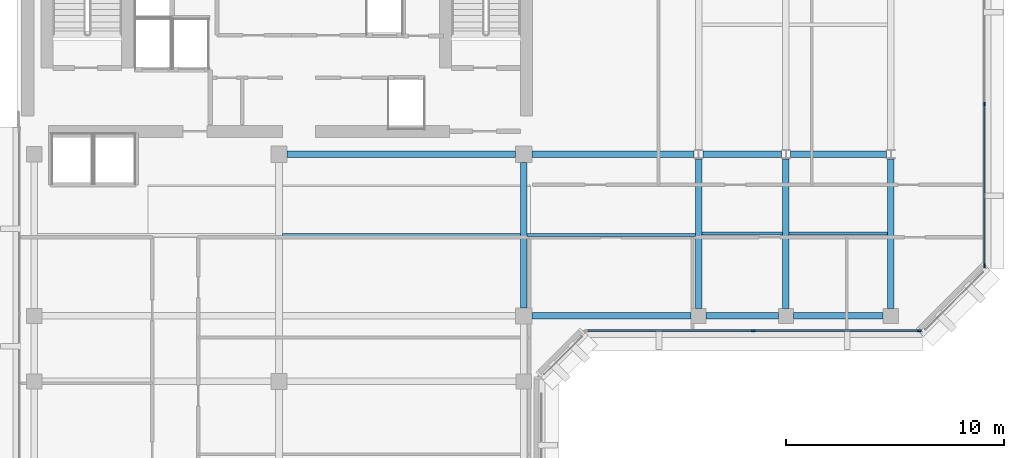
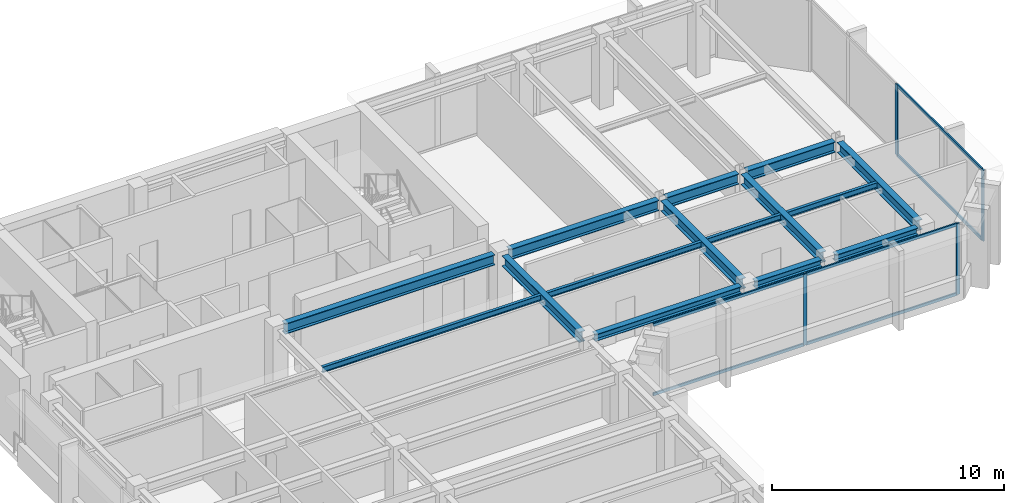
# One storey, part 3 of 11: 15 beams, 10 members, 2 elements without a shape of their own.
"""IFC4 building model written with IfcOpenShell, lengths in metres."""

from ifc_helpers import new_model, si_unit, direction, frame, origin, origin_2d, place, context, subcontext, project, spatial, rectangle, i_section, extrude, material, layer, layer_set, material_profile, profile_set, type_object, element, aggregate, save


model = new_model("IFC4")

# Units and contexts
model_context = context("Model", 3, precision=1e-05, world=origin(), true_north=direction((0.0, 1.0)))
body_context = subcontext(model_context, "Body", "Model", "MODEL_VIEW")
ifc_project = project(units=[si_unit("LENGTHUNIT", "METRE"), si_unit("AREAUNIT", "SQUARE_METRE"), si_unit("VOLUMEUNIT", "CUBIC_METRE"), si_unit("PLANEANGLEUNIT", "RADIAN"), si_unit("MASSUNIT", "GRAM", prefix="KILO")], contexts=[model_context])

# Site, building, storey
site_placement = place(None, origin())
site = spatial("IfcSite", under=ifc_project, at=site_placement, CompositionType="ELEMENT")
building_placement = place(site_placement, origin())
building = spatial("IfcBuilding", under=site, at=building_placement, Name="Kefirva Bronze Tower", CompositionType="ELEMENT")
storey_placement = place(building_placement, frame((0.0, 0.0, 292.050048828125)))
storey = spatial("IfcBuildingStorey", under=building, at=storey_placement, Name="L71", CompositionType="ELEMENT", Elevation=292.050048828125)

# Curtain wall, members
ifc_material_1 = material(Name="Bronze anodised aluminium", Category="aluminium")
ifc_layer = layer(ifc_material_1, 0.179931640625, Name="Bronze anodised aluminium")
ifc_layer_set = layer_set([ifc_layer], Name="Bronze anodised aluminium")
curtain_wall_type = type_object("IfcCurtainWallType", Name="Unitised Bronze Ribbon Curtain Wall Zone 4", PredefinedType="USERDEFINED", material=ifc_layer_set)
curtain_wall_1_placement = place(storey_placement, origin())
curtain_wall_1 = element("IfcCurtainWall", 1, at=curtain_wall_1_placement, inside=storey, type_object=curtain_wall_type, Name="L71 Curtain Wall 2", ObjectType="UNITISED CURTAIN WALL", PredefinedType="USERDEFINED")
ifc_material_profile_1 = material_profile(ifc_material_1, rectangle(XDim=0.074951171875, YDim=0.179931640625, at=origin_2d()), Name="ALU 75x180")
ifc_profile_set_1 = profile_set([ifc_material_profile_1], Name="Bronze anodised aluminium")
member_type_1 = type_object("IfcMemberType", Name="Bronze Mullion 75x180", PredefinedType="MULLION", material=ifc_profile_set_1)
member_1_placement = place(storey_placement, frame((33.699951171875, 25.1201171875, 0.0), z_axis=(0.0, 0.0, 1.0), x_axis=(0.0, 1.0, 0.0)))
member_1 = element("IfcMember", 2, at=member_1_placement, type_object=member_type_1, Name="CW-04 mullion 2", PredefinedType="MULLION", context=body_context, shape_type="SweptSolid", body=[
    extrude(rectangle(XDim=0.074951171875, YDim=0.179931640625, at=origin_2d()), origin(), (0.0, 0.0, 1.0), 3.739990234375),
])
member_2_placement = place(storey_placement, frame((41.3076171875, 25.1201171875, 0.0), z_axis=(0.0, 0.0, 1.0), x_axis=(0.0, 1.0, 0.0)))
member_2 = element("IfcMember", 3, at=member_2_placement, type_object=member_type_1, Name="CW-04 mullion 3", PredefinedType="MULLION", context=body_context, shape_type="SweptSolid", body=[
    extrude(rectangle(XDim=0.074951171875, YDim=0.179931640625, at=origin_2d()), origin(), (0.0, 0.0, 1.0), 3.739990234375),
])

curtain_wall_2_placement = place(storey_placement, origin())
curtain_wall_2 = element("IfcCurtainWall", 4, at=curtain_wall_2_placement, inside=storey, type_object=curtain_wall_type, Name="L71 Curtain Wall 3", ObjectType="UNITISED CURTAIN WALL", PredefinedType="USERDEFINED")
member_3_placement = place(storey_placement, frame((44.280029296875, 28.092529296875, 0.0), z_axis=(0.0, 0.0, 1.0), x_axis=(-1.0, 0.0, 0.0)))
member_3 = element("IfcMember", 5, at=member_3_placement, type_object=member_type_1, Name="CW-04 mullion 1", PredefinedType="MULLION", context=body_context, shape_type="SweptSolid", body=[
    extrude(rectangle(XDim=0.074951171875, YDim=0.179931640625, at=origin_2d()), origin(), (0.0, 0.0, 1.0), 3.739990234375),
])
member_4_placement = place(storey_placement, frame((44.280029296875, 35.5, 0.0), z_axis=(0.0, 0.0, 1.0), x_axis=(-1.0, 0.0, 0.0)))
member_4 = element("IfcMember", 6, at=member_4_placement, type_object=member_type_1, Name="CW-04 mullion 2", PredefinedType="MULLION", context=body_context, shape_type="SweptSolid", body=[
    extrude(rectangle(XDim=0.074951171875, YDim=0.179931640625, at=origin_2d()), origin(), (0.0, 0.0, 1.0), 3.739990234375),
])

# Member
ifc_material_profile_2 = material_profile(ifc_material_1, rectangle(XDim=0.074951171875, YDim=0.14990234375, at=origin_2d()), Name="ALU 75x150")
ifc_profile_set_2 = profile_set([ifc_material_profile_2], Name="Bronze anodised aluminium")
member_type_2 = type_object("IfcMemberType", Name="Bronze Transom 75x150", PredefinedType="USERDEFINED", material=ifc_profile_set_2)
member_5_placement = place(storey_placement, frame((26.1298828125, 25.1201171875, 0.037353515625), z_axis=(1.0, 0.0, 0.0), x_axis=(0.0, 1.0, 0.0)))
member_5 = element("IfcMember", 7, at=member_5_placement, type_object=member_type_2, Name="CW-04 transom 1.1", ObjectType="TRANSOM", PredefinedType="USERDEFINED", context=body_context, shape_type="SweptSolid", body=[
    extrude(rectangle(XDim=0.074951171875, YDim=0.14990234375, at=origin_2d()), origin(), (0.0, 0.0, 1.0), 7.53271484375),
])

member_6_placement = place(storey_placement, frame((26.1298828125, 25.1201171875, 3.702392578125), z_axis=(1.0, 0.0, 0.0), x_axis=(0.0, 1.0, 0.0)))
member_6 = element("IfcMember", 8, at=member_6_placement, type_object=member_type_2, Name="CW-04 transom 1.2", ObjectType="TRANSOM", PredefinedType="USERDEFINED", context=body_context, shape_type="SweptSolid", body=[
    extrude(rectangle(XDim=0.074951171875, YDim=0.14990234375, at=origin_2d()), origin(), (0.0, 0.0, 1.0), 7.53271484375),
])

member_7_placement = place(storey_placement, frame((33.737548828125, 25.1201171875, 0.037353515625), z_axis=(1.0, 0.0, 0.0), x_axis=(0.0, 1.0, 0.0)))
member_7 = element("IfcMember", 9, at=member_7_placement, type_object=member_type_2, Name="CW-04 transom 2.1", ObjectType="TRANSOM", PredefinedType="USERDEFINED", context=body_context, shape_type="SweptSolid", body=[
    extrude(rectangle(XDim=0.074951171875, YDim=0.14990234375, at=origin_2d()), origin(), (0.0, 0.0, 1.0), 7.532470703125),
])

member_8_placement = place(storey_placement, frame((33.737548828125, 25.1201171875, 3.702392578125), z_axis=(1.0, 0.0, 0.0), x_axis=(0.0, 1.0, 0.0)))
member_8 = element("IfcMember", 10, at=member_8_placement, type_object=member_type_2, Name="CW-04 transom 2.2", ObjectType="TRANSOM", PredefinedType="USERDEFINED", context=body_context, shape_type="SweptSolid", body=[
    extrude(rectangle(XDim=0.074951171875, YDim=0.14990234375, at=origin_2d()), origin(), (0.0, 0.0, 1.0), 7.532470703125),
])

aggregate(curtain_wall_1, [member_1, member_2, member_5, member_6, member_7, member_8])

member_9_placement = place(storey_placement, frame((44.280029296875, 28.1298828125, 0.037353515625), z_axis=(0.0, 1.0, 0.0), x_axis=(-1.0, 0.0, 0.0)))
member_9 = element("IfcMember", 11, at=member_9_placement, type_object=member_type_2, Name="CW-04 transom 1.1", ObjectType="TRANSOM", PredefinedType="USERDEFINED", context=body_context, shape_type="SweptSolid", body=[
    extrude(rectangle(XDim=0.074951171875, YDim=0.14990234375, at=origin_2d()), origin(), (0.0, 0.0, 1.0), 7.33251953125),
])

member_10_placement = place(storey_placement, frame((44.280029296875, 28.1298828125, 3.702392578125), z_axis=(0.0, 1.0, 0.0), x_axis=(-1.0, 0.0, 0.0)))
member_10 = element("IfcMember", 12, at=member_10_placement, type_object=member_type_2, Name="CW-04 transom 1.2", ObjectType="TRANSOM", PredefinedType="USERDEFINED", context=body_context, shape_type="SweptSolid", body=[
    extrude(rectangle(XDim=0.074951171875, YDim=0.14990234375, at=origin_2d()), origin(), (0.0, 0.0, 1.0), 7.33251953125),
])

aggregate(curtain_wall_2, [member_3, member_4, member_9, member_10])

# Beams
ifc_material_2 = material(Name="Steel S355", Category="steel")
ifc_material_profile_3 = material_profile(ifc_material_2, i_section(OverallWidth=0.14990234375, OverallDepth=0.300048828125, WebThickness=0.007080078125, FlangeThickness=0.0107421875, at=origin_2d()), Name="IPE 300")
ifc_profile_set_3 = profile_set([ifc_material_profile_3], Name="Steel S355")
beam_type_1 = type_object("IfcBeamType", Name="Steel Floor Joist IPE 300", PredefinedType="JOIST", material=ifc_profile_set_3)
beam_1_placement = place(storey_placement, frame((12.14990234375, 29.5, 3.58984375), z_axis=(1.0, 0.0, 0.0), x_axis=(0.0, 1.0, 0.0)))
element("IfcBeam", 13, at=beam_1_placement, inside=storey, type_object=beam_type_1, Name="L71 JST-L71-12-295", PredefinedType="JOIST", context=body_context, shape_type="SweptSolid", body=[
    extrude(i_section(OverallWidth=0.14990234375, OverallDepth=0.300048828125, WebThickness=0.007080078125, FlangeThickness=0.0107421875, at=origin_2d()), origin(), (0.0, 0.0, 1.0), 10.900146484375),
])
beam_2_placement = place(storey_placement, frame((23.35009765625, 29.5, 3.58984375), z_axis=(1.0, 0.0, 0.0), x_axis=(0.0, 1.0, 0.0)))
element("IfcBeam", 14, at=beam_2_placement, inside=storey, type_object=beam_type_1, Name="L71 JST-L71-23-295", PredefinedType="JOIST", context=body_context, shape_type="SweptSolid", body=[
    extrude(i_section(OverallWidth=0.14990234375, OverallDepth=0.300048828125, WebThickness=0.007080078125, FlangeThickness=0.0107421875, at=origin_2d()), origin(), (0.0, 0.0, 1.0), 7.699951171875),
])
beam_3_placement = place(storey_placement, frame((31.35009765625, 29.571044921875, 3.58984375), z_axis=(1.0, 0.0, 0.0), x_axis=(0.0, 1.0, 0.0)))
element("IfcBeam", 15, at=beam_3_placement, inside=storey, type_object=beam_type_1, Name="L71 JST-L71-31-295", PredefinedType="JOIST", context=body_context, shape_type="SweptSolid", body=[
    extrude(i_section(OverallWidth=0.14990234375, OverallDepth=0.300048828125, WebThickness=0.007080078125, FlangeThickness=0.0107421875, at=origin_2d()), origin(), (0.0, 0.0, 1.0), 3.699951171875),
])
beam_4_placement = place(storey_placement, frame((35.35009765625, 29.571044921875, 3.58984375), z_axis=(1.0, 0.0, 0.0), x_axis=(0.0, 1.0, 0.0)))
element("IfcBeam", 16, at=beam_4_placement, inside=storey, type_object=beam_type_1, Name="L71 JST-L71-35-295", PredefinedType="JOIST", context=body_context, shape_type="SweptSolid", body=[
    extrude(i_section(OverallWidth=0.14990234375, OverallDepth=0.300048828125, WebThickness=0.007080078125, FlangeThickness=0.0107421875, at=origin_2d()), origin(), (0.0, 0.0, 1.0), 4.5),
])
ifc_material_profile_4 = material_profile(ifc_material_2, i_section(OverallWidth=0.300048828125, OverallDepth=0.550048828125, WebThickness=0.014892578125, FlangeThickness=0.029052734375, at=origin_2d()), Name="HEB 550")
ifc_profile_set_4 = profile_set([ifc_material_profile_4], Name="Steel S355")
beam_type_2 = type_object("IfcBeamType", Name="Steel Girder HEB 550", PredefinedType="USERDEFINED", material=ifc_profile_set_4)
beam_5_placement = place(storey_placement, frame((12.3701171875, 33.199951171875, 3.46484375), z_axis=(1.0, 0.0, 0.0), x_axis=(0.0, 1.0, 0.0)))
element("IfcBeam", 17, at=beam_5_placement, inside=storey, type_object=beam_type_2, Name="L71 BM-L71-EW-12-332", ObjectType="GIRDER", PredefinedType="USERDEFINED", context=body_context, shape_type="SweptSolid", body=[
    extrude(i_section(OverallWidth=0.300048828125, OverallDepth=0.550048828125, WebThickness=0.014892578125, FlangeThickness=0.029052734375, at=origin_2d()), origin(), (0.0, 0.0, 1.0), 10.4599609375),
])
beam_6_placement = place(storey_placement, frame((23.570068359375, 33.199951171875, 3.46484375), z_axis=(1.0, 0.0, 0.0), x_axis=(0.0, 1.0, 0.0)))
element("IfcBeam", 18, at=beam_6_placement, inside=storey, type_object=beam_type_2, Name="L71 BM-L71-EW-23-332", ObjectType="GIRDER", PredefinedType="USERDEFINED", context=body_context, shape_type="SweptSolid", body=[
    extrude(i_section(OverallWidth=0.300048828125, OverallDepth=0.550048828125, WebThickness=0.014892578125, FlangeThickness=0.029052734375, at=origin_2d()), origin(), (0.0, 0.0, 1.0), 7.427001953125),
])
beam_7_placement = place(storey_placement, frame((31.403076171875, 33.199951171875, 3.46484375), z_axis=(1.0, 0.0, 0.0), x_axis=(0.0, 1.0, 0.0)))
element("IfcBeam", 19, at=beam_7_placement, inside=storey, type_object=beam_type_2, Name="L71 BM-L71-EW-31-332", ObjectType="GIRDER", PredefinedType="USERDEFINED", context=body_context, shape_type="SweptSolid", body=[
    extrude(i_section(OverallWidth=0.300048828125, OverallDepth=0.550048828125, WebThickness=0.014892578125, FlangeThickness=0.029052734375, at=origin_2d()), origin(), (0.0, 0.0, 1.0), 3.593994140625),
])
beam_8_placement = place(storey_placement, frame((35.403076171875, 33.199951171875, 3.46484375), z_axis=(1.0, 0.0, 0.0), x_axis=(0.0, 1.0, 0.0)))
element("IfcBeam", 20, at=beam_8_placement, inside=storey, type_object=beam_type_2, Name="L71 BM-L71-EW-35-332", ObjectType="GIRDER", PredefinedType="USERDEFINED", context=body_context, shape_type="SweptSolid", body=[
    extrude(i_section(OverallWidth=0.300048828125, OverallDepth=0.550048828125, WebThickness=0.014892578125, FlangeThickness=0.029052734375, at=origin_2d()), origin(), (0.0, 0.0, 1.0), 4.39404296875),
])
beam_9_placement = place(storey_placement, frame((23.199951171875, 26.169921875, 3.46484375), z_axis=(0.0, 1.0, 0.0), x_axis=(-1.0, 0.0, 0.0)))
element("IfcBeam", 21, at=beam_9_placement, inside=storey, type_object=beam_type_2, Name="L71 BM-L71-NS-232-25", ObjectType="GIRDER", PredefinedType="USERDEFINED", context=body_context, shape_type="SweptSolid", body=[
    extrude(i_section(OverallWidth=0.300048828125, OverallDepth=0.550048828125, WebThickness=0.014892578125, FlangeThickness=0.029052734375, at=origin_2d()), origin(), (0.0, 0.0, 1.0), 6.66015625),
])
for number, where, z_axis, x_axis, name in (
    (22, (31.199951171875, 26.14990234375, 3.46484375), (0.0, 1.0, 0.0), (-1.0, 0.0, 0.0), "L71 BM-L71-NS-312-25"),
    (23, (35.199951171875, 26.14990234375, 3.46484375), (0.0, 1.0, 0.0), (-1.0, 0.0, 0.0), "L71 BM-L71-NS-352-25"),
    (24, (40.0, 26.14990234375, 3.46484375), (0.0, 1.0, 0.0), (-1.0, 0.0, 0.0), "L71 BM-L71-NS-400-25"),
):
    element("IfcBeam", number, at=place(storey_placement, frame(where, z_axis=z_axis, x_axis=x_axis)), inside=storey, type_object=beam_type_2, Name=name, ObjectType="GIRDER", PredefinedType="USERDEFINED", context=body_context, shape_type="SweptSolid", body=[
        extrude(i_section(OverallWidth=0.300048828125, OverallDepth=0.550048828125, WebThickness=0.014892578125, FlangeThickness=0.029052734375, at=origin_2d()), origin(), (0.0, 0.0, 1.0), 6.842041015625),
    ])
ifc_material_profile_5 = material_profile(ifc_material_2, i_section(OverallWidth=0.300048828125, OverallDepth=0.360107421875, WebThickness=0.012451171875, FlangeThickness=0.0224609375, at=origin_2d()), Name="HEB 360")
ifc_profile_set_5 = profile_set([ifc_material_profile_5], Name="Steel S355")
beam_type_3 = type_object("IfcBeamType", Name="Steel Spandrel HEB 360 Ext", PredefinedType="SPANDREL", material=ifc_profile_set_5)
beam_10_placement = place(storey_placement, frame((23.570068359375, 25.800048828125, 3.56005859375), z_axis=(1.0, 0.0, 0.0), x_axis=(0.0, 1.0, 0.0)))
element("IfcBeam", 25, at=beam_10_placement, inside=storey, type_object=beam_type_3, Name="L71 BM-L71-EW-23-258", PredefinedType="SPANDREL", context=body_context, shape_type="SweptSolid", body=[
    extrude(i_section(OverallWidth=0.300048828125, OverallDepth=0.360107421875, WebThickness=0.012451171875, FlangeThickness=0.0224609375, at=origin_2d()), origin(), (0.0, 0.0, 1.0), 7.280029296875),
])
beam_11_placement = place(storey_placement, frame((31.550048828125, 25.800048828125, 3.56005859375), z_axis=(1.0, 0.0, 0.0), x_axis=(0.0, 1.0, 0.0)))
element("IfcBeam", 26, at=beam_11_placement, inside=storey, type_object=beam_type_3, Name="L71 BM-L71-EW-31-258", PredefinedType="SPANDREL", context=body_context, shape_type="SweptSolid", body=[
    extrude(i_section(OverallWidth=0.300048828125, OverallDepth=0.360107421875, WebThickness=0.012451171875, FlangeThickness=0.0224609375, at=origin_2d()), origin(), (0.0, 0.0, 1.0), 3.300048828125),
])
beam_12_placement = place(storey_placement, frame((35.550048828125, 25.800048828125, 3.56005859375), z_axis=(1.0, 0.0, 0.0), x_axis=(0.0, 1.0, 0.0)))
element("IfcBeam", 27, at=beam_12_placement, inside=storey, type_object=beam_type_3, Name="L71 BM-L71-EW-35-258", PredefinedType="SPANDREL", context=body_context, shape_type="SweptSolid", body=[
    extrude(i_section(OverallWidth=0.300048828125, OverallDepth=0.360107421875, WebThickness=0.012451171875, FlangeThickness=0.0224609375, at=origin_2d()), origin(), (0.0, 0.0, 1.0), 4.099853515625),
])

save(model, "model.ifc")
